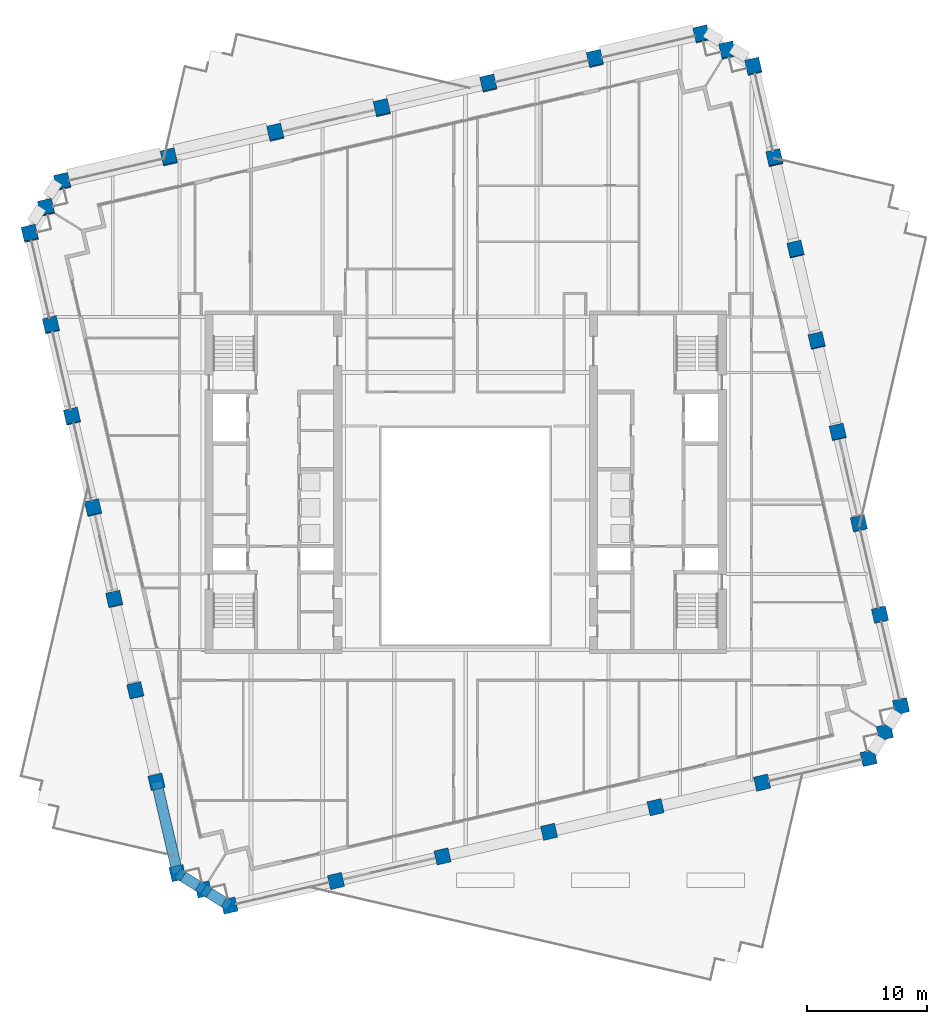
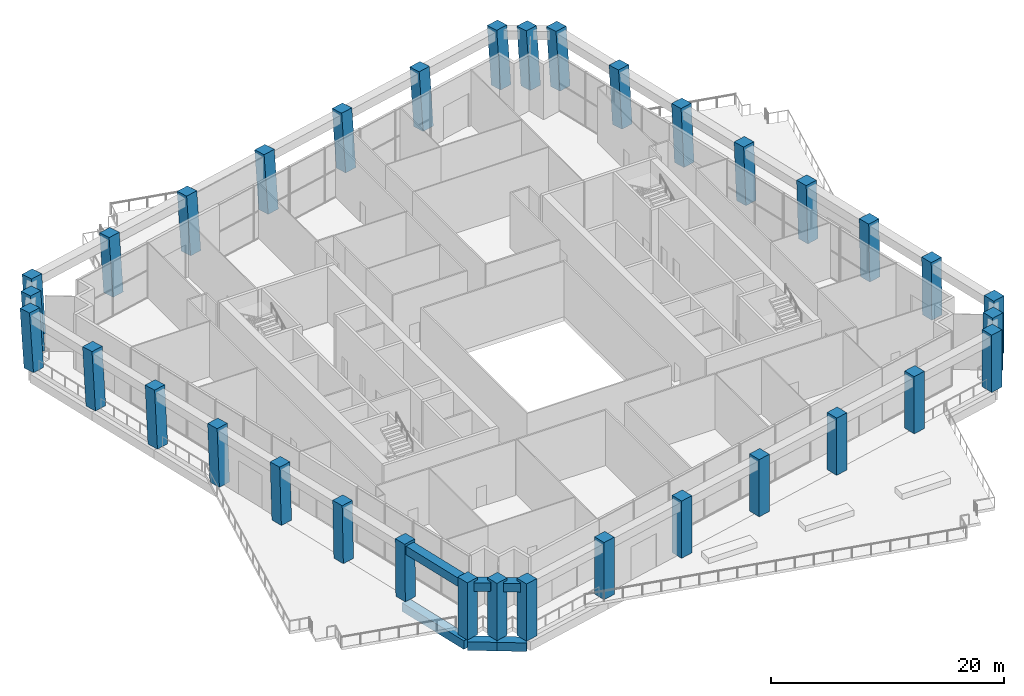
# One storey, part 1 of 24: 34 columns, 6 beams.
"""IFC4 building model written with IfcOpenShell, lengths in metres."""

from ifc_helpers import new_model, si_unit, direction, frame, origin, origin_2d, place, context, subcontext, project, spatial, rectangle, extrude, material, material_profile, profile_set, type_object, element, save


model = new_model("IFC4")

# Units and contexts
model_context = context("Model", 3, precision=1e-05, world=origin(), true_north=direction((0.0, 1.0)))
body_context = subcontext(model_context, "Body", "Model", "MODEL_VIEW")
ifc_project = project(units=[si_unit("LENGTHUNIT", "METRE"), si_unit("AREAUNIT", "SQUARE_METRE"), si_unit("VOLUMEUNIT", "CUBIC_METRE"), si_unit("PLANEANGLEUNIT", "RADIAN"), si_unit("MASSUNIT", "GRAM", prefix="KILO")], contexts=[model_context])

# Site, building, storey
site_placement = place(None, origin())
site = spatial("IfcSite", under=ifc_project, at=site_placement, CompositionType="ELEMENT")
building_placement = place(site_placement, origin())
building = spatial("IfcBuilding", under=site, at=building_placement, Name="Ogive Exchange Tower", CompositionType="ELEMENT")
storey_placement = place(building_placement, frame((0.0, 0.0, 165.60009765625)))
storey = spatial("IfcBuildingStorey", under=building, at=storey_placement, Name="L36", CompositionType="ELEMENT", Elevation=165.60009765625)

# Columns
ifc_material = material(Name="Precast concrete C70/85 (limestone faced)", Category="masonry")
ifc_material_profile_1 = material_profile(ifc_material, rectangle(XDim=1.199951171875, YDim=1.199951171875, at=origin_2d()), Name="1200 x 1200")
ifc_profile_set_1 = profile_set([ifc_material_profile_1], Name="Precast concrete C70/85 (limestone faced)")
column_type = type_object("IfcColumnType", Name="Precast exoskeleton leg 1200 x 1200 C70/85", PredefinedType="COLUMN", material=ifc_profile_set_1)
for number, where, z_axis, x_axis, name in (
    (1, (-19.6494140625, -23.749267578125, 0.0), (0.0, 0.0, 1.0), (0.974370064785, 0.224951054344, 0.0), "Exoskeleton leg 1"),
    (2, (-10.782470703125, -21.7021484375, 0.0), (0.0, 0.0, 1.0), (0.974370064785, 0.224951054344, 0.0), "Exoskeleton leg 2"),
    (3, (-1.915771484375, -19.655029296875, 0.0), (0.0, 0.0, 1.0), (0.974370064785, 0.224951054344, 0.0), "Exoskeleton leg 3"),
    (4, (6.950927734375, -17.60791015625, 0.0), (0.0, 0.0, 1.0), (0.974370064785, 0.224951054344, 0.0), "Exoskeleton leg 4"),
    (5, (15.81787109375, -15.56103515625, 0.0), (0.0, 0.0, 1.0), (0.974370064785, 0.224951054344, 0.0), "Exoskeleton leg 5"),
    (6, (24.6845703125, -13.513916015625, 0.0), (0.0, 0.0, 1.0), (0.974370064785, 0.224951054344, 0.0), "Exoskeleton leg 6"),
    (7, (33.55126953125, -11.466796875, 0.0), (0.0, 0.0, 1.0), (0.974370064785, 0.224951054344, 0.0), "Exoskeleton leg 7"),
    (8, (36.249267578125, -7.1494140625, 0.0), (0.0, 0.0, 1.0), (0.974370064785, 0.224951054344, 0.0), "Exoskeleton leg 8"),
):
    element("IfcColumn", number, at=place(storey_placement, frame(where, z_axis=z_axis, x_axis=x_axis)), inside=storey, type_object=column_type, Name=name, PredefinedType="COLUMN", context=body_context, shape_type="SweptSolid", body=[
        extrude(rectangle(XDim=1.199951171875, YDim=1.199951171875, at=origin_2d()), origin(), (0.0, 0.0, 1.0), 6.0),
    ])
column_1_placement = place(storey_placement, frame((34.49462890625, 0.45068359375, 0.0), z_axis=(-0.00268535281, 0.01171790317, 0.999927737202), x_axis=(-0.974732318528, -0.223376156329, 0.0)))
element("IfcColumn", 9, at=column_1_placement, inside=storey, type_object=column_type, Name="Exoskeleton leg 9", PredefinedType="COLUMN", context=body_context, shape_type="SweptSolid", body=[
    extrude(rectangle(XDim=1.199951171875, YDim=1.199951171875, at=origin_2d()), origin(), (0.0, 0.0, 1.0), 6.00048828125),
])
column_2_placement = place(storey_placement, frame((32.739990234375, 8.05078125, 0.0), z_axis=(-0.005410224046, 0.023390066364, 0.999711775599), x_axis=(-0.974276841123, -0.225354469338, 0.0)))
element("IfcColumn", 10, at=column_2_placement, inside=storey, type_object=column_type, Name="Exoskeleton leg 10", PredefinedType="COLUMN", context=body_context, shape_type="SweptSolid", body=[
    extrude(rectangle(XDim=1.199951171875, YDim=1.199951171875, at=origin_2d()), origin(), (0.0, 0.0, 1.0), 6.001708984375),
])
column_3_placement = place(storey_placement, frame((30.9853515625, 15.65087890625, 0.0), z_axis=(-0.008092077967, 0.035092780331, 0.999351297114), x_axis=(-0.97442924191, -0.22469457606, 0.0)))
element("IfcColumn", 11, at=column_3_placement, inside=storey, type_object=column_type, Name="Exoskeleton leg 11", PredefinedType="COLUMN", context=body_context, shape_type="SweptSolid", body=[
    extrude(rectangle(XDim=1.199951171875, YDim=1.199951171875, at=origin_2d()), origin(), (0.0, 0.0, 1.0), 6.00390625),
])
column_4_placement = place(storey_placement, frame((29.230712890625, 23.2509765625, 0.0), z_axis=(-0.010770466873, 0.046739761902, 0.998849033488), x_axis=(-0.974462553199, -0.224550066607, 0.0)))
element("IfcColumn", 12, at=column_4_placement, inside=storey, type_object=column_type, Name="Exoskeleton leg 12", PredefinedType="COLUMN", context=body_context, shape_type="SweptSolid", body=[
    extrude(rectangle(XDim=1.199951171875, YDim=1.199951171875, at=origin_2d()), origin(), (0.0, 0.0, 1.0), 6.0068359375),
])
column_5_placement = place(storey_placement, frame((27.47607421875, 30.85107421875, 0.0), z_axis=(-0.013484854004, 0.058366672302, 0.998204132569), x_axis=(-0.974334026589, -0.225107095913, 0.0)))
element("IfcColumn", 13, at=column_5_placement, inside=storey, type_object=column_type, Name="Exoskeleton leg 13", PredefinedType="COLUMN", context=body_context, shape_type="SweptSolid", body=[
    extrude(rectangle(XDim=1.199951171875, YDim=1.199951171875, at=origin_2d()), origin(), (0.0, 0.0, 1.0), 6.0107421875),
])
column_6_placement = place(storey_placement, frame((25.721435546875, 38.451904296875, 0.0078125), z_axis=(-0.016173896419, 0.069978516669, 0.997417371154), x_axis=(-0.974314851408, -0.225190075993, 0.0)))
element("IfcColumn", 14, at=column_6_placement, inside=storey, type_object=column_type, Name="Exoskeleton leg 14", PredefinedType="COLUMN", context=body_context, shape_type="SweptSolid", body=[
    extrude(rectangle(XDim=1.199951171875, YDim=1.199951171875, at=origin_2d()), origin(), (0.0, 0.0, 1.0), 6.0078125),
])
for number, where, z_axis, x_axis, name in (
    (15, (23.966796875, 46.05126953125, 0.0), (-0.018813922195, 0.081581059175, 0.99648912042), (-0.974423835271, -0.224718021653, 0.0), "Exoskeleton leg 15"),
    (16, (19.6494140625, 48.749267578125, 0.0), (-0.018854455043, 0.081580996874, 0.996488359427), (-0.974317689549, -0.225177796044, 0.0), "Exoskeleton leg 16"),
    (17, (10.782470703125, 46.7021484375, 0.0), (-0.018813922195, 0.081581059175, 0.99648912042), (-0.974423835271, -0.224718021653, 0.0), "Exoskeleton leg 17"),
    (18, (1.915771484375, 44.655029296875, 0.0), (-0.018813859946, 0.08162133636, 0.996485823344), (-0.97444827455, -0.224612021555, 0.0), "Exoskeleton leg 18"),
    (19, (-6.950927734375, 42.60791015625, 0.0), (-0.018854392659, 0.081621274029, 0.996485062358), (-0.974342226267, -0.225071602193, 0.0), "Exoskeleton leg 19"),
    (20, (-15.81787109375, 40.56103515625, 0.0), (-0.018813922195, 0.081581059175, 0.99648912042), (-0.974423835271, -0.224718021653, 0.0), "Exoskeleton leg 20"),
    (21, (-24.6845703125, 38.513916015625, 0.0), (-0.018813922195, 0.081581059175, 0.99648912042), (-0.974423835271, -0.224718021653, 0.0), "Exoskeleton leg 21"),
    (22, (-33.55126953125, 36.466796875, 0.0), (-0.018854392659, 0.081621274029, 0.996485062358), (-0.974342226267, -0.225071602193, 0.0), "Exoskeleton leg 22"),
    (23, (-36.249267578125, 32.1494140625, 0.0), (-0.018813922195, 0.081581059175, 0.99648912042), (-0.974423835271, -0.224718021653, 0.0), "Exoskeleton leg 23"),
):
    element("IfcColumn", number, at=place(storey_placement, frame(where, z_axis=z_axis, x_axis=x_axis)), inside=storey, type_object=column_type, Name=name, PredefinedType="COLUMN", context=body_context, shape_type="SweptSolid", body=[
        extrude(rectangle(XDim=1.199951171875, YDim=1.199951171875, at=origin_2d()), origin(), (0.0, 0.0, 1.0), 6.021240234375),
    ])
column_7_placement = place(storey_placement, frame((-34.49462890625, 24.54931640625, 0.0), z_axis=(-0.016152853401, 0.069968641364, 0.99741840496), x_axis=(-0.974372141151, -0.224942060428, 0.0)))
element("IfcColumn", 24, at=column_7_placement, inside=storey, type_object=column_type, Name="Exoskeleton leg 24", PredefinedType="COLUMN", context=body_context, shape_type="SweptSolid", body=[
    extrude(rectangle(XDim=1.199951171875, YDim=1.199951171875, at=origin_2d()), origin(), (0.0, 0.0, 1.0), 6.015625),
])
column_8_placement = place(storey_placement, frame((-32.739990234375, 16.94921875, 0.0), z_axis=(-0.013484854004, 0.058366672302, 0.998204132569), x_axis=(-0.974334026589, -0.225107095913, 0.0)))
element("IfcColumn", 25, at=column_8_placement, inside=storey, type_object=column_type, Name="Exoskeleton leg 25", PredefinedType="COLUMN", context=body_context, shape_type="SweptSolid", body=[
    extrude(rectangle(XDim=1.199951171875, YDim=1.199951171875, at=origin_2d()), origin(), (0.0, 0.0, 1.0), 6.0107421875),
])
column_9_placement = place(storey_placement, frame((-30.9853515625, 9.34912109375, 0.0), z_axis=(-0.010811105403, 0.046739741404, 0.99884859542), x_axis=(-0.974276841123, -0.225354469338, 0.0)))
element("IfcColumn", 26, at=column_9_placement, inside=storey, type_object=column_type, Name="Exoskeleton leg 26", PredefinedType="COLUMN", context=body_context, shape_type="SweptSolid", body=[
    extrude(rectangle(XDim=1.199951171875, YDim=1.199951171875, at=origin_2d()), origin(), (0.0, 0.0, 1.0), 6.0068359375),
])
column_10_placement = place(storey_placement, frame((-29.230712890625, 1.7490234375, 0.0), z_axis=(-0.008092089508, 0.035052166613, 0.999352722367), x_axis=(-0.974372141151, -0.224942060428, 0.0)))
element("IfcColumn", 27, at=column_10_placement, inside=storey, type_object=column_type, Name="Exoskeleton leg 27", PredefinedType="COLUMN", context=body_context, shape_type="SweptSolid", body=[
    extrude(rectangle(XDim=1.199951171875, YDim=1.199951171875, at=origin_2d()), origin(), (0.0, 0.0, 1.0), 6.00390625),
])
column_11_placement = place(storey_placement, frame((-27.47607421875, -5.85107421875, 0.0), z_axis=(-0.005410224046, 0.023390066364, 0.999711775599), x_axis=(-0.974276841123, -0.225354469338, 0.0)))
element("IfcColumn", 28, at=column_11_placement, inside=storey, type_object=column_type, Name="Exoskeleton leg 28", PredefinedType="COLUMN", context=body_context, shape_type="SweptSolid", body=[
    extrude(rectangle(XDim=1.199951171875, YDim=1.199951171875, at=origin_2d()), origin(), (0.0, 0.0, 1.0), 6.001708984375),
])
column_12_placement = place(storey_placement, frame((-25.721435546875, -13.451171875, 0.0), z_axis=(-0.002726040971, 0.011677220279, 0.999928103029), x_axis=(-0.97381617579, -0.227336877275, 0.0)))
element("IfcColumn", 29, at=column_12_placement, inside=storey, type_object=column_type, Name="Exoskeleton leg 29", PredefinedType="COLUMN", context=body_context, shape_type="SweptSolid", body=[
    extrude(rectangle(XDim=1.199951171875, YDim=1.199951171875, at=origin_2d()), origin(), (0.0, 0.0, 1.0), 6.00048828125),
])
for number, where, z_axis, x_axis, name in (
    (30, (-23.966796875, -21.05126953125, 0.0), (0.0, 0.0, 1.0), (0.974370064785, 0.224951054344, 0.0), "Exoskeleton leg 30"),
    (31, (34.900146484375, -9.30810546875, 0.0), (0.0, 0.0, 1.0), (0.974370064785, 0.224951054344, 0.0), "Exoskeleton leg 31"),
):
    element("IfcColumn", number, at=place(storey_placement, frame(where, z_axis=z_axis, x_axis=x_axis)), inside=storey, type_object=column_type, Name=name, PredefinedType="COLUMN", context=body_context, shape_type="SweptSolid", body=[
        extrude(rectangle(XDim=1.199951171875, YDim=1.199951171875, at=origin_2d()), origin(), (0.0, 0.0, 1.0), 6.0),
    ])
for number, where, z_axis, x_axis, name in (
    (32, (21.80810546875, 47.400146484375, 0.0), (-0.018854392659, 0.081621274029, 0.996485062358), (-0.974342226267, -0.225071602193, 0.0), "Exoskeleton leg 32"),
    (33, (-34.900146484375, 34.30810546875, 0.0), (-0.018854455043, 0.081580996874, 0.996488359427), (-0.974317689549, -0.225177796044, 0.0), "Exoskeleton leg 33"),
):
    element("IfcColumn", number, at=place(storey_placement, frame(where, z_axis=z_axis, x_axis=x_axis)), inside=storey, type_object=column_type, Name=name, PredefinedType="COLUMN", context=body_context, shape_type="SweptSolid", body=[
        extrude(rectangle(XDim=1.199951171875, YDim=1.199951171875, at=origin_2d()), origin(), (0.0, 0.0, 1.0), 6.021240234375),
    ])
column_13_placement = place(storey_placement, frame((-21.80810546875, -22.400146484375, 0.0), z_axis=(0.0, 0.0, 1.0), x_axis=(0.974370064785, 0.224951054344, 0.0)))
element("IfcColumn", 34, at=column_13_placement, inside=storey, type_object=column_type, Name="Exoskeleton leg 34", PredefinedType="COLUMN", context=body_context, shape_type="SweptSolid", body=[
    extrude(rectangle(XDim=1.199951171875, YDim=1.199951171875, at=origin_2d()), origin(), (0.0, 0.0, 1.0), 6.0),
])

# Beams
ifc_material_profile_2 = material_profile(ifc_material, rectangle(XDim=0.89990234375, YDim=0.89990234375, at=origin_2d()), Name="900 x 900")
ifc_profile_set_2 = profile_set([ifc_material_profile_2], Name="Precast concrete C70/85 (limestone faced)")
beam_type_1 = type_object("IfcBeamType", Name="Precast spandrel 900 x 900 C70/85", PredefinedType="SPANDREL", material=ifc_profile_set_2)
beam_1_placement = place(storey_placement, frame((-25.607177734375, -13.9462890625, 5.2998046875), z_axis=(0.224941860113, -0.974372187395, 0.0), x_axis=(0.974372187395, 0.224941860113, 0.0)))
element("IfcBeam", 35, at=beam_1_placement, inside=storey, type_object=beam_type_1, Name="Spandrel 32", PredefinedType="SPANDREL", context=body_context, shape_type="SweptSolid", body=[
    extrude(rectangle(XDim=0.89990234375, YDim=0.89990234375, at=origin_2d()), origin(), (0.0, 0.0, 1.0), 6.7119140625),
])
for number, where, z_axis, x_axis, name in (
    (36, (-23.501708984375, -21.342041015625, 5.2998046875), (0.848074041941, -0.529877740036, 0.0), (0.529877740036, 0.848074041941, 0.0), "Spandrel 33"),
    (37, (-21.343017578125, -22.69091796875, 5.2998046875), (0.848074041941, -0.529877740036, 0.0), (0.529877740036, 0.848074041941, 0.0), "Spandrel 34"),
):
    element("IfcBeam", number, at=place(storey_placement, frame(where, z_axis=z_axis, x_axis=x_axis)), inside=storey, type_object=beam_type_1, Name=name, PredefinedType="SPANDREL", context=body_context, shape_type="SweptSolid", body=[
        extrude(rectangle(XDim=0.89990234375, YDim=0.89990234375, at=origin_2d()), origin(), (0.0, 0.0, 1.0), 1.448486328125),
    ])
ifc_material_profile_3 = material_profile(ifc_material, rectangle(XDim=0.89990234375, YDim=0.89990234375, at=origin_2d()), Name="900 x 900")
ifc_profile_set_3 = profile_set([ifc_material_profile_3], Name="Precast concrete C70/85 (limestone faced)")
beam_type_2 = type_object("IfcBeamType", Name="Precast transfer girder 900 x 900 C70/85", PredefinedType="BEAM", material=ifc_profile_set_3)
beam_2_placement = place(storey_placement, frame((-25.721435546875, -13.451171875, -0.900146484375), z_axis=(0.22495322987, -0.974369562523, 0.0), x_axis=(0.974369562523, 0.22495322987, 0.0)))
element("IfcBeam", 38, at=beam_2_placement, inside=storey, type_object=beam_type_2, Name="Transfer girder 32", PredefinedType="BEAM", context=body_context, shape_type="SweptSolid", body=[
    extrude(rectangle(XDim=0.89990234375, YDim=0.89990234375, at=origin_2d()), origin(), (0.0, 0.0, 1.0), 7.800048828125),
])
beam_3_placement = place(storey_placement, frame((-23.966796875, -21.05126953125, -0.900146484375), z_axis=(0.848052182659, -0.529912724405, 0.0), x_axis=(0.529912724405, 0.848052182659, 0.0)))
element("IfcBeam", 39, at=beam_3_placement, inside=storey, type_object=beam_type_2, Name="Transfer girder 33", PredefinedType="BEAM", context=body_context, shape_type="SweptSolid", body=[
    extrude(rectangle(XDim=0.89990234375, YDim=0.89990234375, at=origin_2d()), origin(), (0.0, 0.0, 1.0), 2.54541015625),
])
beam_4_placement = place(storey_placement, frame((-21.80810546875, -22.400146484375, -0.900146484375), z_axis=(0.848009079889, -0.529981698198, 0.0), x_axis=(0.529981698198, 0.848009079889, 0.0)))
element("IfcBeam", 40, at=beam_4_placement, inside=storey, type_object=beam_type_2, Name="Transfer girder 34", PredefinedType="BEAM", context=body_context, shape_type="SweptSolid", body=[
    extrude(rectangle(XDim=0.89990234375, YDim=0.89990234375, at=origin_2d()), origin(), (0.0, 0.0, 1.0), 2.545654296875),
])

save(model, "model.ifc")
